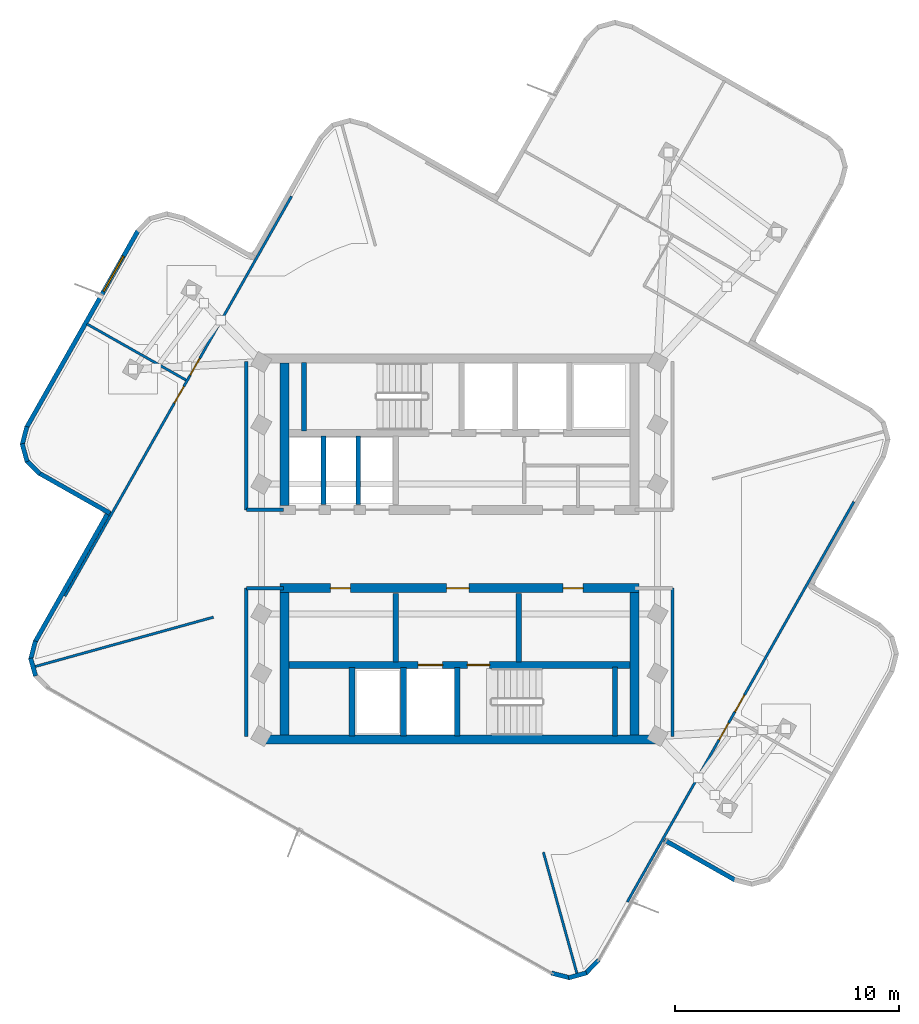
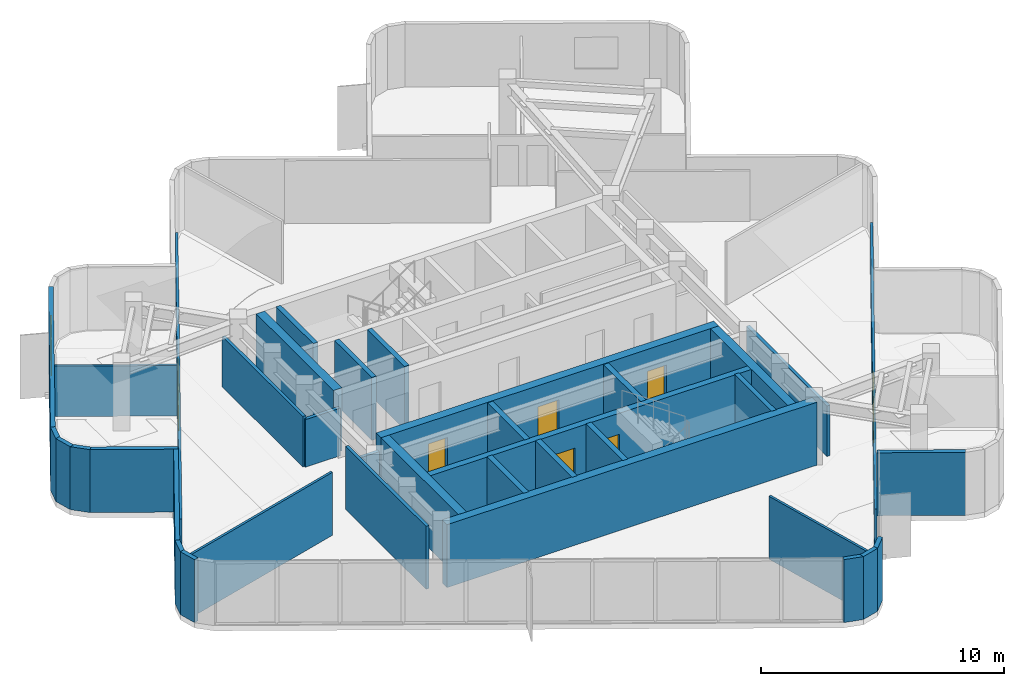
# One storey, part 4 of 9: 37 walls, 9 doors, 1 window, 10 openings.
"""IFC4 building model written with IfcOpenShell, lengths in metres."""

from ifc_helpers import new_model, si_unit, direction, frame, frame_2d, origin, place, context, subcontext, project, spatial, rectangle, extrude, material, layer, layer_set, type_object, element, fill, save


model = new_model("IFC4")

# Units and contexts
model_context = context("Model", 3, precision=1e-05, world=origin(), true_north=direction((0.0, 1.0)))
body_context = subcontext(model_context, "Body", "Model", "MODEL_VIEW")
ifc_project = project(units=[si_unit("LENGTHUNIT", "METRE"), si_unit("AREAUNIT", "SQUARE_METRE"), si_unit("VOLUMEUNIT", "CUBIC_METRE"), si_unit("PLANEANGLEUNIT", "RADIAN"), si_unit("MASSUNIT", "GRAM", prefix="KILO")], contexts=[model_context])

# Site, building, storey
site_placement = place(None, origin())
site = spatial("IfcSite", under=ifc_project, at=site_placement, CompositionType="ELEMENT")
building_placement = place(site_placement, origin())
building = spatial("IfcBuilding", under=site, at=building_placement, Name="Solmarez Civic Tower", CompositionType="ELEMENT")
storey_placement = place(building_placement, frame((0.0, 0.0, 278.280029296875)))
storey = spatial("IfcBuildingStorey", under=building, at=storey_placement, Name="L75", CompositionType="ELEMENT", Elevation=278.280029296875)

# Walls
ifc_material_1 = material(Name="Concrete C50/60", Category="concrete")
ifc_layer_1 = layer(ifc_material_1, 0.39990234375)
ifc_layer_set_1 = layer_set([ifc_layer_1], Name="Concrete C50/60")
wall_type_1 = type_object("IfcWallType", Name="WALL-CORE-400", PredefinedType="SHEAR", material=ifc_layer_set_1)
wall_1_placement = place(storey_placement, frame((-7.820068359375, 1.949951171875, 0.0), z_axis=(0.0, 0.0, 1.0), x_axis=(0.0, 1.0, 0.0)))
element("IfcWall", 1, at=wall_1_placement, inside=storey, type_object=wall_type_1, Name="L75 Split-Core Structural Wall NCW-W-L75", PredefinedType="SHEAR", context=body_context, shape_type="SweptSolid", body=[
    extrude(rectangle(XDim=6.360107421875, YDim=0.39990234375, at=frame_2d((3.18017578125, 0.0))), origin(), (0.0, 0.0, 1.0), 3.159912109375),
])
wall_2_placement = place(storey_placement, frame((8.780029296875, -8.510009765625, 0.0), z_axis=(0.0, 0.0, 1.0), x_axis=(-1.0, 0.0, 0.0)))
element("IfcWall", 2, at=wall_2_placement, inside=storey, type_object=wall_type_1, Name="L75 Split-Core Structural Wall SCW-S-L75", PredefinedType="SHEAR", context=body_context, shape_type="SweptSolid", body=[
    extrude(rectangle(XDim=17.56005859375, YDim=0.39990234375, at=frame_2d((8.780029296875, 0.0))), origin(), (0.0, 0.0, 1.0), 3.159912109375),
])

# Wall, openings, doors
wall_3_placement = place(storey_placement, frame((-8.02001953125, -1.75, 0.0), z_axis=(0.0, 0.0, 1.0), x_axis=(1.0, 0.0, 0.0)))
wall_3 = element("IfcWall", 3, at=wall_3_placement, inside=storey, type_object=wall_type_1, Name="L75 Split-Core Structural Wall SCW-N-L75", PredefinedType="SHEAR", context=body_context, shape_type="SweptSolid", body=[
    extrude(rectangle(XDim=16.0400390625, YDim=0.39990234375, at=frame_2d((8.02001953125, 0.0))), origin(), (0.0, 0.0, 1.0), 3.159912109375),
])
opening_1_placement = place(wall_3_placement, frame((7.449951171875, 0.0, 0.0)))
opening_1 = element("IfcOpeningElement", 4, at=opening_1_placement, cuts=wall_3, Name="Opening D-04", PredefinedType="OPENING", context=body_context, shape_type="SweptSolid", body=[
    extrude(rectangle(XDim=1.0, YDim=2.10009765625, at=frame_2d((0.5, 1.050048828125))), frame((0.0, 0.2099609375, 0.0), z_axis=(0.0, -1.0, 0.0), x_axis=(1.0, 0.0, 0.0)), (0.0, 0.0, 1.0), 0.419921875),
])
opening_2_placement = place(wall_3_placement, frame((12.64990234375, 0.0, 0.0)))
opening_2 = element("IfcOpeningElement", 5, at=opening_2_placement, cuts=wall_3, Name="Opening D-09", PredefinedType="OPENING", context=body_context, shape_type="SweptSolid", body=[
    extrude(rectangle(XDim=0.89990234375, YDim=2.06005859375, at=frame_2d((0.449951171875, 1.030029296875))), frame((0.0, 0.2099609375, 0.0), z_axis=(0.0, -1.0, 0.0), x_axis=(1.0, 0.0, 0.0)), (0.0, 0.0, 1.0), 0.419921875),
])
opening_3_placement = place(wall_3_placement, frame((2.25, 0.0, 0.0)))
opening_3 = element("IfcOpeningElement", 6, at=opening_3_placement, cuts=wall_3, Name="Opening D-09", PredefinedType="OPENING", context=body_context, shape_type="SweptSolid", body=[
    extrude(rectangle(XDim=0.89990234375, YDim=2.06005859375, at=frame_2d((0.449951171875, 1.030029296875))), frame((0.0, 0.2099609375, 0.0), z_axis=(0.0, -1.0, 0.0), x_axis=(1.0, 0.0, 0.0)), (0.0, 0.0, 1.0), 0.419921875),
])
ifc_material_2 = material(Name="Steel-Faced Acoustic Fire Door", Category="steel")
door_type_1 = type_object("IfcDoorType", Name="DOOR-FD60-1000", OperationType="NOTDEFINED", PredefinedType="DOOR", material=ifc_material_2)
door_1_placement = place(opening_1_placement, origin())
door_1 = element("IfcDoor", 7, at=door_1_placement, inside=storey, type_object=door_type_1, Name="L75 South Firefighting Lobby Door", OperationType="SINGLE_SWING_LEFT", OverallHeight=2.10009765625, OverallWidth=1.0, PredefinedType="DOOR", context=body_context, shape_type="SweptSolid", body=[
    extrude(rectangle(XDim=1.0, YDim=2.10009765625, at=frame_2d((0.5, 1.050048828125))), frame((0.0, 0.02490234375, 0.0), z_axis=(0.0, -1.0, 0.0), x_axis=(1.0, 0.0, 0.0)), (0.0, 0.0, 1.0), 0.050048828125),
])
fill(opening_1, door_1)
ifc_material_3 = material(Name="Fire-Rated Service Core Door", Category="wood")
door_type_2 = type_object("IfcDoorType", Name="DOOR-FD60-900", OperationType="NOTDEFINED", PredefinedType="DOOR", material=ifc_material_3)
door_2_placement = place(opening_2_placement, origin())
door_2 = element("IfcDoor", 8, at=door_2_placement, inside=storey, type_object=door_type_2, Name="L75 Freed Hoistway Mailroom Door", OperationType="SINGLE_SWING_LEFT", OverallHeight=2.06005859375, OverallWidth=0.89990234375, PredefinedType="DOOR", context=body_context, shape_type="SweptSolid", body=[
    extrude(rectangle(XDim=0.89990234375, YDim=2.06005859375, at=frame_2d((0.449951171875, 1.030029296875))), frame((0.0, 0.02490234375, 0.0), z_axis=(0.0, -1.0, 0.0), x_axis=(1.0, 0.0, 0.0)), (0.0, 0.0, 1.0), 0.050048828125),
])
fill(opening_2, door_2)
door_3_placement = place(opening_3_placement, origin())
door_3 = element("IfcDoor", 9, at=door_3_placement, inside=storey, type_object=door_type_2, Name="L75 Delegation Tea Pantry Door", OperationType="SINGLE_SWING_RIGHT", OverallHeight=2.06005859375, OverallWidth=0.89990234375, PredefinedType="DOOR", context=body_context, shape_type="SweptSolid", body=[
    extrude(rectangle(XDim=0.89990234375, YDim=2.06005859375, at=frame_2d((0.449951171875, 1.030029296875))), frame((0.0, 0.02490234375, 0.0), z_axis=(0.0, -1.0, 0.0), x_axis=(1.0, 0.0, 0.0)), (0.0, 0.0, 1.0), 0.050048828125),
])
fill(opening_3, door_3)

# Walls
for number, where, z_axis, x_axis, name in (
    (10, (-7.820068359375, -8.31005859375, 0.0), (0.0, 0.0, 1.0), (0.0, 1.0, 0.0), "L75 Split-Core Structural Wall SCW-W-L75"),
    (11, (7.820068359375, -1.949951171875, 0.0), (0.0, 0.0, 1.0), (0.0, -1.0, 0.0), "L75 Split-Core Structural Wall SCW-E-L75"),
):
    element("IfcWall", number, at=place(storey_placement, frame(where, z_axis=z_axis, x_axis=x_axis)), inside=storey, type_object=wall_type_1, Name=name, PredefinedType="SHEAR", context=body_context, shape_type="SweptSolid", body=[
        extrude(rectangle(XDim=6.360107421875, YDim=0.39990234375, at=frame_2d((3.18017578125, 0.0))), origin(), (0.0, 0.0, 1.0), 3.159912109375),
    ])
ifc_material_4 = material(Name="Precast concrete C40/50", Category="concrete")
ifc_layer_2 = layer(ifc_material_4, 0.199951171875)
ifc_layer_set_2 = layer_set([ifc_layer_2], Name="Precast concrete C40/50")
wall_type_2 = type_object("IfcWallType", Name="WALL-EXT-200", PredefinedType="SOLIDWALL", material=ifc_layer_set_2)
wall_4_placement = place(storey_placement, frame((6.218017578125, -18.35888671875, 0.0), z_axis=(0.0, 0.0, 1.0), x_axis=(-0.701706468749, -0.712466161804, 0.0)))
element("IfcWall", 12, at=wall_4_placement, inside=storey, type_object=wall_type_2, Name="L75 Exterior Precast Wall 3", PredefinedType="SOLIDWALL", context=body_context, shape_type="SweptSolid", body=[
    extrude(rectangle(XDim=0.839599609375, YDim=0.199951171875, at=frame_2d((0.419921875, 0.0))), origin(), (0.0, 0.0, 1.0), 3.159912109375),
])
wall_5_placement = place(storey_placement, frame((5.6708984375, -18.931884765625, 0.0), z_axis=(0.0, 0.0, 1.0), x_axis=(-0.963313924885, -0.268377126675, 0.0)))
element("IfcWall", 13, at=wall_5_placement, inside=storey, type_object=wall_type_2, Name="L75 Exterior Precast Wall 4", PredefinedType="SOLIDWALL", context=body_context, shape_type="SweptSolid", body=[
    extrude(rectangle(XDim=0.82421875, YDim=0.199951171875, at=frame_2d((0.412109375, 0.0))), origin(), (0.0, 0.0, 1.0), 3.159912109375),
])
wall_6_placement = place(storey_placement, frame((4.925048828125, -19.152099609375, 0.0), z_axis=(0.0, 0.0, 1.0), x_axis=(-0.968015248239, 0.250891369276, 0.0)))
element("IfcWall", 14, at=wall_6_placement, inside=storey, type_object=wall_type_2, Name="L75 Exterior Precast Wall 5", PredefinedType="SOLIDWALL", context=body_context, shape_type="SweptSolid", body=[
    extrude(rectangle(XDim=0.837890625, YDim=0.199951171875, at=frame_2d((0.4189453125, 0.0))), origin(), (0.0, 0.0, 1.0), 3.159912109375),
])
wall_7_placement = place(storey_placement, frame((-18.931884765625, -5.6708984375, 0.0), z_axis=(0.0, 0.0, 1.0), x_axis=(-0.268377126675, 0.963313924885, 0.0)))
element("IfcWall", 15, at=wall_7_placement, inside=storey, type_object=wall_type_2, Name="L75 Exterior Precast Wall 8", PredefinedType="SOLIDWALL", context=body_context, shape_type="SweptSolid", body=[
    extrude(rectangle(XDim=0.82421875, YDim=0.199951171875, at=frame_2d((0.412109375, 0.0))), origin(), (0.0, 0.0, 1.0), 3.159912109375),
])
wall_8_placement = place(storey_placement, frame((-19.152099609375, -4.925048828125, 0.0), z_axis=(0.0, 0.0, 1.0), x_axis=(0.250891369276, 0.968015248239, 0.0)))
element("IfcWall", 16, at=wall_8_placement, inside=storey, type_object=wall_type_2, Name="L75 Exterior Precast Wall 9", PredefinedType="SOLIDWALL", context=body_context, shape_type="SweptSolid", body=[
    extrude(rectangle(XDim=0.837890625, YDim=0.199951171875, at=frame_2d((0.4189453125, 0.0))), origin(), (0.0, 0.0, 1.0), 3.159912109375),
])
wall_9_placement = place(storey_placement, frame((-18.9599609375, -4.159912109375, 0.0), z_axis=(0.0, 0.0, 1.0), x_axis=(0.492441425139, 0.870345588147, 0.0)))
element("IfcWall", 17, at=wall_9_placement, inside=storey, type_object=wall_type_2, Name="L75 Exterior Precast Wall 10", PredefinedType="SOLIDWALL", context=body_context, shape_type="SweptSolid", body=[
    extrude(rectangle(XDim=6.741943359375, YDim=0.199951171875, at=frame_2d((3.37109375, 0.0))), origin(), (0.0, 0.0, 1.0), 3.159912109375),
])
wall_10_placement = place(storey_placement, frame((-15.60888671875, 1.59912109375, 0.0), z_axis=(0.0, 0.0, 1.0), x_axis=(-0.87036421417, 0.49240850388, 0.0)))
element("IfcWall", 18, at=wall_10_placement, inside=storey, type_object=wall_type_2, Name="L75 Exterior Precast Wall 13", PredefinedType="SOLIDWALL", context=body_context, shape_type="SweptSolid", body=[
    extrude(rectangle(XDim=3.64111328125, YDim=0.199951171875, at=frame_2d((1.820556640625, 0.0))), origin(), (0.0, 0.0, 1.0), 3.159912109375),
])
wall_11_placement = place(storey_placement, frame((-18.738037109375, 3.362060546875, 0.0), z_axis=(0.0, 0.0, 1.0), x_axis=(-0.712468358306, 0.70170423856, 0.0)))
element("IfcWall", 19, at=wall_11_placement, inside=storey, type_object=wall_type_2, Name="L75 Exterior Precast Wall 14", PredefinedType="SOLIDWALL", context=body_context, shape_type="SweptSolid", body=[
    extrude(rectangle(XDim=0.839111328125, YDim=0.199951171875, at=frame_2d((0.41943359375, 0.0))), origin(), (0.0, 0.0, 1.0), 3.159912109375),
])
wall_12_placement = place(storey_placement, frame((-19.31103515625, 3.908935546875, 0.0), z_axis=(0.0, 0.0, 1.0), x_axis=(-0.267720149776, 0.963496715824, 0.0)))
element("IfcWall", 20, at=wall_12_placement, inside=storey, type_object=wall_type_2, Name="L75 Exterior Precast Wall 15", PredefinedType="SOLIDWALL", context=body_context, shape_type="SweptSolid", body=[
    extrude(rectangle(XDim=0.8251953125, YDim=0.199951171875, at=frame_2d((0.41259765625, 0.0))), origin(), (0.0, 0.0, 1.0), 3.159912109375),
])
wall_13_placement = place(storey_placement, frame((-19.531005859375, 4.656005859375, 0.0), z_axis=(0.0, 0.0, 1.0), x_axis=(0.250618286331, 0.968085985105, 0.0)))
element("IfcWall", 21, at=wall_13_placement, inside=storey, type_object=wall_type_2, Name="L75 Exterior Precast Wall 16", PredefinedType="SOLIDWALL", context=body_context, shape_type="SweptSolid", body=[
    extrude(rectangle(XDim=0.837890625, YDim=0.199951171875, at=frame_2d((0.4189453125, 0.0))), origin(), (0.0, 0.0, 1.0), 3.159912109375),
])

# Wall, opening, window
wall_14_placement = place(storey_placement, frame((-19.339111328125, 5.4208984375, 0.0), z_axis=(0.0, 0.0, 1.0), x_axis=(0.492615794655, 0.870246906835, 0.0)))
wall_14 = element("IfcWall", 22, at=wall_14_placement, inside=storey, type_object=wall_type_2, Name="L75 Exterior Precast Wall 17", PredefinedType="SOLIDWALL", context=body_context, shape_type="SweptSolid", body=[
    extrude(rectangle(XDim=10.12353515625, YDim=0.199951171875, at=frame_2d((5.061767578125, 0.0))), origin(), (0.0, 0.0, 1.0), 3.159912109375),
])
opening_4_placement = place(wall_14_placement, frame((6.99609375, 0.0, 0.85009765625)))
opening_4 = element("IfcOpeningElement", 23, at=opening_4_placement, cuts=wall_14, Name="Opening W-08", PredefinedType="OPENING", context=body_context, shape_type="SweptSolid", body=[
    extrude(rectangle(XDim=1.800048828125, YDim=1.800048828125, at=frame_2d((0.89990234375, 0.89990234375))), frame((0.0, 0.10986328125, 0.0), z_axis=(0.0, -1.0, 0.0), x_axis=(1.0, 0.0, 0.0)), (0.0, 0.0, 1.0), 0.219970703125),
])
ifc_material_5 = material(Name="Solar Control Bronze-Tinted Insulating Glass", Category="glass")
window_type = type_object("IfcWindowType", Name="WIN-1800X1800", PartitioningType="SINGLE_PANEL", PredefinedType="WINDOW", material=ifc_material_5)
window_placement = place(opening_4_placement, origin())
window = element("IfcWindow", 24, at=window_placement, inside=storey, type_object=window_type, Name="L75 Exterior Facade Window 17", OverallHeight=1.800048828125, OverallWidth=1.800048828125, PartitioningType="SINGLE_PANEL", PredefinedType="WINDOW", context=body_context, shape_type="SweptSolid", body=[
    extrude(rectangle(XDim=1.800048828125, YDim=1.800048828125, at=frame_2d((0.89990234375, 0.89990234375))), frame((0.0, 0.030029296875, 0.0), z_axis=(0.0, -1.0, 0.0), x_axis=(1.0, 0.0, 0.0)), (0.0, 0.0, 1.0), 0.06005859375),
])
fill(opening_4, window)

# Walls
wall_15_placement = place(storey_placement, frame((12.322998046875, -14.7919921875, 0.0), z_axis=(0.0, 0.0, 1.0), x_axis=(-0.870412972764, 0.492322309918, 0.0)))
element("IfcWall", 25, at=wall_15_placement, inside=storey, type_object=wall_type_2, Name="L75 Exterior Precast Wall 57", PredefinedType="SOLIDWALL", context=body_context, shape_type="SweptSolid", body=[
    extrude(rectangle(XDim=3.641845703125, YDim=0.199951171875, at=frame_2d((1.82080078125, 0.0))), origin(), (0.0, 0.0, 1.0), 3.159912109375),
])
ifc_material_6 = material(Name="Gypsum Board Acoustic Steel-Stud Partition", Category="steel")
ifc_layer_3 = layer(ifc_material_6, 0.14990234375)
ifc_layer_set_3 = layer_set([ifc_layer_3], Name="Gypsum Board Acoustic Steel-Stud Partition")
wall_type_3 = type_object("IfcWallType", Name="WALL-INT-FIRE-150", PredefinedType="PARTITIONING", material=ifc_layer_set_3)
wall_16_placement = place(storey_placement, frame((-9.52001953125, 1.75, 0.0), z_axis=(0.0, 0.0, 1.0), x_axis=(0.0, 1.0, 0.0)))
element("IfcWall", 26, at=wall_16_placement, inside=storey, type_object=wall_type_3, Name="L75 Interior Partition CHW-L75-WN1", PredefinedType="PARTITIONING", context=body_context, shape_type="SweptSolid", body=[
    extrude(rectangle(XDim=6.6298828125, YDim=0.14990234375, at=frame_2d((3.31494140625, 0.0))), origin(), (0.0, 0.0, 1.0), 2.530029296875),
])
wall_17_placement = place(storey_placement, frame((-7.85009765625, 1.75, 0.0), z_axis=(0.0, 0.0, 1.0), x_axis=(-1.0, 0.0, 0.0)))
element("IfcWall", 27, at=wall_17_placement, inside=storey, type_object=wall_type_3, Name="L75 Interior Partition CHW-L75-WN3", PredefinedType="PARTITIONING", context=body_context, shape_type="SweptSolid", body=[
    extrude(rectangle(XDim=1.669921875, YDim=0.14990234375, at=frame_2d((0.8349609375, 0.0))), origin(), (0.0, 0.0, 1.0), 2.389892578125),
])
wall_18_placement = place(storey_placement, frame((-9.52001953125, -8.3798828125, 0.0), z_axis=(0.0, 0.0, 1.0), x_axis=(0.0, 1.0, 0.0)))
element("IfcWall", 28, at=wall_18_placement, inside=storey, type_object=wall_type_3, Name="L75 Interior Partition CHW-L75-WS1", PredefinedType="PARTITIONING", context=body_context, shape_type="SweptSolid", body=[
    extrude(rectangle(XDim=6.6298828125, YDim=0.14990234375, at=frame_2d((3.31494140625, 0.0))), origin(), (0.0, 0.0, 1.0), 3.159912109375),
])
wall_19_placement = place(storey_placement, frame((-7.85009765625, -1.75, 0.0), z_axis=(0.0, 0.0, 1.0), x_axis=(-1.0, 0.0, 0.0)))
element("IfcWall", 29, at=wall_19_placement, inside=storey, type_object=wall_type_3, Name="L75 Interior Partition CHW-L75-WS3", PredefinedType="PARTITIONING", context=body_context, shape_type="SweptSolid", body=[
    extrude(rectangle(XDim=1.669921875, YDim=0.14990234375, at=frame_2d((0.8349609375, 0.0))), origin(), (0.0, 0.0, 1.0), 2.389892578125),
])
wall_20_placement = place(storey_placement, frame((9.52001953125, -8.3798828125, 0.0), z_axis=(0.0, 0.0, 1.0), x_axis=(0.0, 1.0, 0.0)))
element("IfcWall", 30, at=wall_20_placement, inside=storey, type_object=wall_type_3, Name="L75 Interior Partition CHW-L75-ES1", PredefinedType="PARTITIONING", context=body_context, shape_type="SweptSolid", body=[
    extrude(rectangle(XDim=6.6298828125, YDim=0.14990234375, at=frame_2d((3.31494140625, 0.0))), origin(), (0.0, 0.0, 1.0), 2.530029296875),
])
ifc_layer_4 = layer(ifc_material_6, 0.110107421875)
ifc_layer_set_4 = layer_set([ifc_layer_4], Name="Gypsum Board Acoustic Steel-Stud Partition")
wall_type_4 = type_object("IfcWallType", Name="WALL-INT-PART-110", PredefinedType="PARTITIONING", material=ifc_layer_set_4)
wall_21_placement = place(storey_placement, frame((-10.986083984375, -3.04296875, 0.0), z_axis=(0.0, 0.0, 1.0), x_axis=(-0.963747373359, -0.266816416929, 0.0)))
element("IfcWall", 31, at=wall_21_placement, inside=storey, type_object=wall_type_4, Name="L75 Interior Partition PT-L75-QDIV-2", PredefinedType="PARTITIONING", context=body_context, shape_type="SweptSolid", body=[
    extrude(rectangle(XDim=8.294677734375, YDim=0.110107421875, at=frame_2d((4.1474609375, 0.0))), origin(), (0.0, 0.0, 1.0), 3.159912109375),
])
wall_22_placement = place(storey_placement, frame((3.75, -13.5400390625, 0.0), z_axis=(0.0, 0.0, 1.0), x_axis=(0.266822842302, -0.963745594452, 0.0)))
element("IfcWall", 32, at=wall_22_placement, inside=storey, type_object=wall_type_4, Name="L75 Interior Partition PT-L75-QDIV-3", PredefinedType="PARTITIONING", context=body_context, shape_type="SweptSolid", body=[
    extrude(rectangle(XDim=5.64453125, YDim=0.110107421875, at=frame_2d((2.822265625, 0.0))), origin(), (0.0, 0.0, 1.0), 3.159912109375),
])
wall_23_placement = place(storey_placement, frame((-12.216064453125, 7.549072265625, 0.0), z_axis=(0.0, 0.0, 1.0), x_axis=(-0.870245204201, 0.492618802488, 0.0)))
element("IfcWall", 33, at=wall_23_placement, inside=storey, type_object=wall_type_4, Name="L75 Interior Partition PT-L75-N-ALM", PredefinedType="PARTITIONING", context=body_context, shape_type="SweptSolid", body=[
    extrude(rectangle(XDim=5.084716796875, YDim=0.110107421875, at=frame_2d((2.54248046875, 0.0))), origin(), (0.0, 0.0, 1.0), 2.530029296875),
])

# Wall, openings, doors
wall_24_placement = place(storey_placement, frame((-17.618896484375, -2.113037109375, 0.0), z_axis=(0.0, 0.0, 1.0), x_axis=(0.492746831558, 0.870172718482, 0.0)))
wall_24 = element("IfcWall", 34, at=wall_24_placement, inside=storey, type_object=wall_type_4, Name="L75 Interior Partition PT-L75-N-ENT", PredefinedType="PARTITIONING", context=body_context, shape_type="SweptSolid", body=[
    extrude(rectangle(XDim=20.53955078125, YDim=0.110107421875, at=frame_2d((10.269775390625, 0.0))), origin(), (0.0, 0.0, 1.0), 2.530029296875),
])
opening_5_placement = place(wall_24_placement, frame((11.360107421875, 0.0, 0.0)))
opening_5 = element("IfcOpeningElement", 35, at=opening_5_placement, cuts=wall_24, Name="Opening D-14", PredefinedType="OPENING", context=body_context, shape_type="SweptSolid", body=[
    extrude(rectangle(XDim=0.860107421875, YDim=2.0400390625, at=frame_2d((0.43017578125, 1.02001953125))), frame((0.0, 0.06494140625, 0.0), z_axis=(0.0, -1.0, 0.0), x_axis=(1.0, 0.0, 0.0)), (0.0, 0.0, 1.0), 0.130126953125),
])
opening_6_placement = place(wall_24_placement, frame((9.919921875, 0.0, 0.0)))
opening_6 = element("IfcOpeningElement", 36, at=opening_6_placement, cuts=wall_24, Name="Opening D-14", PredefinedType="OPENING", context=body_context, shape_type="SweptSolid", body=[
    extrude(rectangle(XDim=0.860107421875, YDim=2.0400390625, at=frame_2d((0.43017578125, 1.02001953125))), frame((0.0, 0.06494140625, 0.0), z_axis=(0.0, -1.0, 0.0), x_axis=(1.0, 0.0, 0.0)), (0.0, 0.0, 1.0), 0.130126953125),
])
ifc_material_7 = material(Name="Timber Storage and Pantry Door", Category="wood")
door_type_3 = type_object("IfcDoorType", Name="DOOR-INT-850", OperationType="NOTDEFINED", PredefinedType="DOOR", material=ifc_material_7)
door_4_placement = place(opening_5_placement, origin())
door_4 = element("IfcDoor", 37, at=door_4_placement, inside=storey, type_object=door_type_3, Name="L75 Public Reading Room Second North Door", OperationType="SINGLE_SWING_RIGHT", OverallHeight=2.0400390625, OverallWidth=0.860107421875, PredefinedType="DOOR", context=body_context, shape_type="SweptSolid", body=[
    extrude(rectangle(XDim=0.860107421875, YDim=2.0400390625, at=frame_2d((0.43017578125, 1.02001953125))), frame((0.0, 0.02490234375, 0.0), z_axis=(0.0, -1.0, 0.0), x_axis=(1.0, 0.0, 0.0)), (0.0, 0.0, 1.0), 0.050048828125),
])
fill(opening_5, door_4)
door_5_placement = place(opening_6_placement, origin())
door_5 = element("IfcDoor", 38, at=door_5_placement, inside=storey, type_object=door_type_3, Name="L75 Counsel Administration Office First North Door", OperationType="SINGLE_SWING_LEFT", OverallHeight=2.0400390625, OverallWidth=0.860107421875, PredefinedType="DOOR", context=body_context, shape_type="SweptSolid", body=[
    extrude(rectangle(XDim=0.860107421875, YDim=2.0400390625, at=frame_2d((0.43017578125, 1.02001953125))), frame((0.0, 0.02490234375, 0.0), z_axis=(0.0, -1.0, 0.0), x_axis=(1.0, 0.0, 0.0)), (0.0, 0.0, 1.0), 0.050048828125),
])
fill(opening_6, door_5)

wall_25_placement = place(storey_placement, frame((17.618896484375, 2.113037109375, 0.0), z_axis=(0.0, 0.0, 1.0), x_axis=(-0.492746831558, -0.870172718482, 0.0)))
wall_25 = element("IfcWall", 39, at=wall_25_placement, inside=storey, type_object=wall_type_4, Name="L75 Interior Partition PT-L75-S-ENT", PredefinedType="PARTITIONING", context=body_context, shape_type="SweptSolid", body=[
    extrude(rectangle(XDim=20.53955078125, YDim=0.110107421875, at=frame_2d((10.269775390625, 0.0))), origin(), (0.0, 0.0, 1.0), 2.530029296875),
])
opening_7_placement = place(wall_25_placement, frame((11.360107421875, 0.0, 0.0)))
opening_7 = element("IfcOpeningElement", 40, at=opening_7_placement, cuts=wall_25, Name="Opening D-14", PredefinedType="OPENING", context=body_context, shape_type="SweptSolid", body=[
    extrude(rectangle(XDim=0.860107421875, YDim=2.0400390625, at=frame_2d((0.43017578125, 1.02001953125))), frame((0.0, 0.06494140625, 0.0), z_axis=(0.0, -1.0, 0.0), x_axis=(1.0, 0.0, 0.0)), (0.0, 0.0, 1.0), 0.130126953125),
])
opening_8_placement = place(wall_25_placement, frame((9.919921875, 0.0, 0.0)))
opening_8 = element("IfcOpeningElement", 41, at=opening_8_placement, cuts=wall_25, Name="Opening D-14", PredefinedType="OPENING", context=body_context, shape_type="SweptSolid", body=[
    extrude(rectangle(XDim=0.860107421875, YDim=2.0400390625, at=frame_2d((0.43017578125, 1.02001953125))), frame((0.0, 0.06494140625, 0.0), z_axis=(0.0, -1.0, 0.0), x_axis=(1.0, 0.0, 0.0)), (0.0, 0.0, 1.0), 0.130126953125),
])
door_6_placement = place(opening_7_placement, origin())
door_6 = element("IfcDoor", 42, at=door_6_placement, inside=storey, type_object=door_type_3, Name="L75 Tribunal Mediation Conference Room Second South Door", OperationType="SINGLE_SWING_RIGHT", OverallHeight=2.0400390625, OverallWidth=0.860107421875, PredefinedType="DOOR", context=body_context, shape_type="SweptSolid", body=[
    extrude(rectangle(XDim=0.860107421875, YDim=2.0400390625, at=frame_2d((0.43017578125, 1.02001953125))), frame((0.0, 0.02490234375, 0.0), z_axis=(0.0, -1.0, 0.0), x_axis=(1.0, 0.0, 0.0)), (0.0, 0.0, 1.0), 0.050048828125),
])
fill(opening_7, door_6)
door_7_placement = place(opening_8_placement, origin())
door_7 = element("IfcDoor", 43, at=door_7_placement, inside=storey, type_object=door_type_3, Name="L75 Delegates Lounge First South Door", OperationType="SINGLE_SWING_LEFT", OverallHeight=2.0400390625, OverallWidth=0.860107421875, PredefinedType="DOOR", context=body_context, shape_type="SweptSolid", body=[
    extrude(rectangle(XDim=0.860107421875, YDim=2.0400390625, at=frame_2d((0.43017578125, 1.02001953125))), frame((0.0, 0.02490234375, 0.0), z_axis=(0.0, -1.0, 0.0), x_axis=(1.0, 0.0, 0.0)), (0.0, 0.0, 1.0), 0.050048828125),
])
fill(opening_8, door_7)

ifc_layer_5 = layer(ifc_material_1, 0.300048828125)
ifc_layer_set_5 = layer_set([ifc_layer_5], Name="Concrete C50/60")
wall_type_5 = type_object("IfcWallType", Name="WALL-STR-300", PredefinedType="SOLIDWALL", material=ifc_layer_set_5)
wall_26_placement = place(storey_placement, frame((-7.6201171875, -5.179931640625, 0.0), z_axis=(0.0, 0.0, 1.0), x_axis=(1.0, 0.0, 0.0)))
wall_26 = element("IfcWall", 44, at=wall_26_placement, inside=storey, type_object=wall_type_5, Name="L75 Split-Core Structural Wall SCW-M-L75", PredefinedType="SOLIDWALL", context=body_context, shape_type="SweptSolid", body=[
    extrude(rectangle(XDim=15.240234375, YDim=0.300048828125, at=frame_2d((7.6201171875, 0.0))), origin(), (0.0, 0.0, 1.0), 3.159912109375),
])
opening_9_placement = place(wall_26_placement, frame((5.77001953125, 0.0, 0.0)))
opening_9 = element("IfcOpeningElement", 45, at=opening_9_placement, cuts=wall_26, Name="Opening LD-02", PredefinedType="OPENING", context=body_context, shape_type="SweptSolid", body=[
    extrude(rectangle(XDim=1.10009765625, YDim=2.14990234375, at=frame_2d((0.550048828125, 1.074951171875))), frame((0.0, 0.159912109375, 0.0), z_axis=(0.0, -1.0, 0.0), x_axis=(1.0, 0.0, 0.0)), (0.0, 0.0, 1.0), 0.320068359375),
])
opening_10_placement = place(wall_26_placement, frame((7.969970703125, 0.0, 0.0)))
opening_10 = element("IfcOpeningElement", 46, at=opening_10_placement, cuts=wall_26, Name="Opening D-05", PredefinedType="OPENING", context=body_context, shape_type="SweptSolid", body=[
    extrude(rectangle(XDim=1.0, YDim=2.10009765625, at=frame_2d((0.5, 1.050048828125))), frame((0.0, 0.159912109375, 0.0), z_axis=(0.0, -1.0, 0.0), x_axis=(1.0, 0.0, 0.0)), (0.0, 0.0, 1.0), 0.320068359375),
])
ifc_material_8 = material(Name="Fire-Rated Stairwell Exit Door", Category="wood")
door_type_4 = type_object("IfcDoorType", Name="DOOR-FD90-1000", OperationType="NOTDEFINED", PredefinedType="DOOR", material=ifc_material_8)
door_8_placement = place(opening_10_placement, origin())
door_8 = element("IfcDoor", 47, at=door_8_placement, inside=storey, type_object=door_type_4, Name="L75 South Exit Stair Door ST-2", OperationType="SINGLE_SWING_LEFT", OverallHeight=2.10009765625, OverallWidth=1.0, PredefinedType="DOOR", context=body_context, shape_type="SweptSolid", body=[
    extrude(rectangle(XDim=1.0, YDim=2.10009765625, at=frame_2d((0.5, 1.050048828125))), frame((0.0, 0.02490234375, 0.0), z_axis=(0.0, -1.0, 0.0), x_axis=(1.0, 0.0, 0.0)), (0.0, 0.0, 1.0), 0.050048828125),
])
fill(opening_10, door_8)
ifc_material_9 = material(Name="Stainless Firefighting Lift Landing Sliding Door", Category="aluminium")
door_type_5 = type_object("IfcDoorType", Name="DOOR-LD-FF-1100", OperationType="DOUBLE_DOOR_SLIDING", PredefinedType="DOOR", material=ifc_material_9)
door_9_placement = place(opening_9_placement, origin())
door_9 = element("IfcDoor", 48, at=door_9_placement, inside=storey, type_object=door_type_5, Name="L75 Firefighting Lift Landing Door FFL-2", OperationType="DOUBLE_DOOR_SLIDING", OverallHeight=2.14990234375, OverallWidth=1.10009765625, PredefinedType="DOOR", context=body_context, shape_type="SweptSolid", body=[
    extrude(rectangle(XDim=1.10009765625, YDim=2.14990234375, at=frame_2d((0.550048828125, 1.074951171875))), frame((0.0, 0.02490234375, 0.0), z_axis=(0.0, -1.0, 0.0), x_axis=(1.0, 0.0, 0.0)), (0.0, 0.0, 1.0), 0.050048828125),
])
fill(opening_9, door_9)

# Walls
for number, where, z_axis, x_axis, name in (
    (49, (-6.949951171875, 5.280029296875, 0.0), (0.0, 0.0, 1.0), (0.0, 1.0, 0.0), "L75 Split-Core Structural Wall SHW-NW-L75"),
    (50, (6.949951171875, -8.340087890625, 0.0), (0.0, 0.0, 1.0), (0.0, 1.0, 0.0), "L75 Split-Core Structural Wall SHW-SE-L75"),
):
    element("IfcWall", number, at=place(storey_placement, frame(where, z_axis=z_axis, x_axis=x_axis)), inside=storey, type_object=wall_type_5, Name=name, PredefinedType="SOLIDWALL", context=body_context, shape_type="SweptSolid", body=[
        extrude(rectangle(XDim=3.06005859375, YDim=0.219970703125, at=frame_2d((1.530029296875, 0.0))), origin(), (0.0, 0.0, 1.0), 3.159912109375),
    ])
for number, where, z_axis, x_axis, name in (
    (51, (-0.10009765625, -8.340087890625, 0.0), (0.0, 0.0, 1.0), (0.0, 1.0, 0.0), "L75 Split-Core Structural Wall SHW-S1-L75"),
    (52, (-2.5, -8.340087890625, 0.0), (0.0, 0.0, 1.0), (0.0, 1.0, 0.0), "L75 Split-Core Structural Wall SHW-S2-L75"),
    (53, (-4.800048828125, -8.340087890625, 0.0), (0.0, 0.0, 1.0), (0.0, 1.0, 0.0), "L75 Split-Core Structural Wall SHW-S3-L75"),
):
    element("IfcWall", number, at=place(storey_placement, frame(where, z_axis=z_axis, x_axis=x_axis)), inside=storey, type_object=wall_type_5, Name=name, PredefinedType="SOLIDWALL", context=body_context, shape_type="SweptSolid", body=[
        extrude(rectangle(XDim=3.0400390625, YDim=0.25, at=frame_2d((1.52001953125, 0.0))), origin(), (0.0, 0.0, 1.0), 3.159912109375),
    ])
for number, where, z_axis, x_axis, name in (
    (54, (-2.85009765625, -5.050048828125, 0.0), (0.0, 0.0, 1.0), (0.0, 1.0, 0.0), "L75 Split-Core Structural Wall SHW-SL1-L75"),
    (55, (2.64990234375, -5.050048828125, 0.0), (0.0, 0.0, 1.0), (0.0, 1.0, 0.0), "L75 Split-Core Structural Wall SHW-SL2-L75"),
):
    element("IfcWall", number, at=place(storey_placement, frame(where, z_axis=z_axis, x_axis=x_axis)), inside=storey, type_object=wall_type_5, Name=name, PredefinedType="SOLIDWALL", context=body_context, shape_type="SweptSolid", body=[
        extrude(rectangle(XDim=3.070068359375, YDim=0.25, at=frame_2d((1.53515625, 0.0))), origin(), (0.0, 0.0, 1.0), 3.159912109375),
    ])
for number, where, z_axis, x_axis, name in (
    (56, (-6.080078125, 1.97998046875, 0.0), (0.0, 0.0, 1.0), (0.0, 1.0, 0.0), "L75 Split-Core Structural Wall SHW-PLH-L75-1"),
    (57, (-4.52001953125, 1.97998046875, 0.0), (0.0, 0.0, 1.0), (0.0, 1.0, 0.0), "L75 Split-Core Structural Wall SHW-PLH-L75-2"),
):
    element("IfcWall", number, at=place(storey_placement, frame(where, z_axis=z_axis, x_axis=x_axis)), inside=storey, type_object=wall_type_5, Name=name, PredefinedType="SOLIDWALL", context=body_context, shape_type="SweptSolid", body=[
        extrude(rectangle(XDim=3.070068359375, YDim=0.219970703125, at=frame_2d((1.53515625, 0.0))), origin(), (0.0, 0.0, 1.0), 3.159912109375),
    ])

save(model, "model.ifc")
